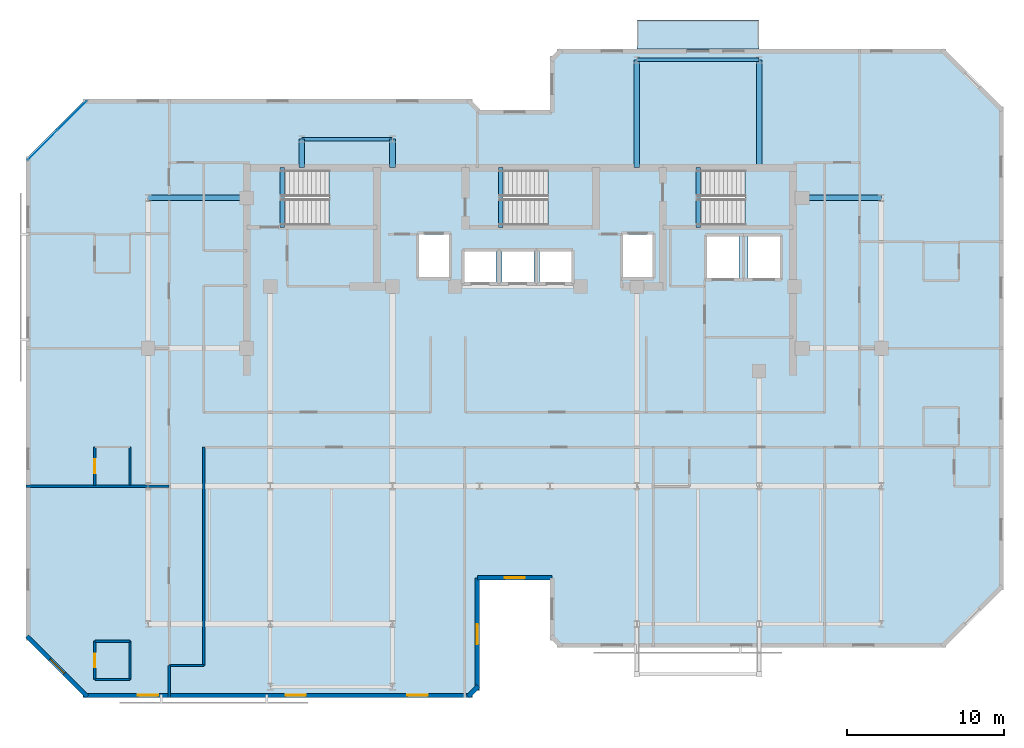
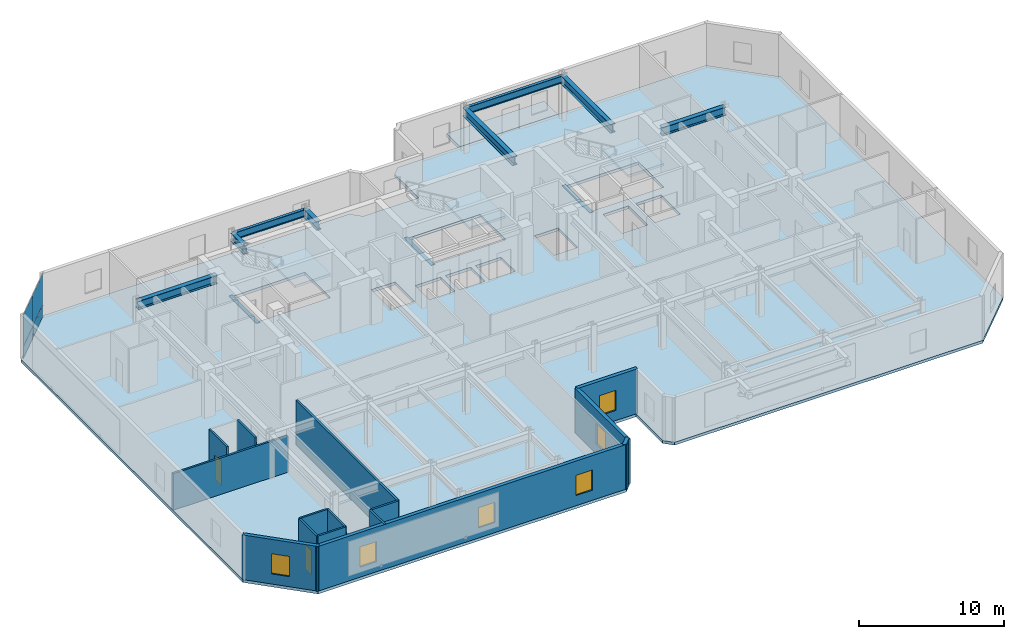
# One storey, part 3 of 10: 15 walls, 11 beams, 6 windows, 5 slabs, 4 plates, 2 doors, 8 openings, 4 elements without a shape of their own.
"""IFC4 building model written with IfcOpenShell, lengths in metres."""

from ifc_helpers import new_model, si_unit, direction, frame, frame_2d, origin, origin_2d, place, context, subcontext, project, spatial, polyline, rectangle, i_section, outline, extrude, material, layer, layer_set, material_profile, profile_set, type_object, element, fill, aggregate, save


model = new_model("IFC4")

# Units and contexts
model_context = context("Model", 3, precision=1e-05, world=origin(), true_north=direction((0.0, 1.0)))
body_context = subcontext(model_context, "Body", "Model", "MODEL_VIEW")
ifc_project = project(units=[si_unit("LENGTHUNIT", "METRE"), si_unit("AREAUNIT", "SQUARE_METRE"), si_unit("VOLUMEUNIT", "CUBIC_METRE"), si_unit("PLANEANGLEUNIT", "RADIAN"), si_unit("MASSUNIT", "GRAM", prefix="KILO")], contexts=[model_context])

# Site, building, storey
site_placement = place(None, origin())
site = spatial("IfcSite", under=ifc_project, at=site_placement, CompositionType="ELEMENT")
building_placement = place(site_placement, origin())
building = spatial("IfcBuilding", under=site, at=building_placement, Name="Kestravale Grand Hotel", CompositionType="ELEMENT")
storey_placement = place(building_placement, frame((0.0, 0.0, 261.39990234375)))
storey = spatial("IfcBuildingStorey", under=building, at=storey_placement, Name="L65", CompositionType="ELEMENT", Elevation=261.39990234375)

# Beams
ifc_material_1 = material(Name="Concrete f'c 45 MPa", Category="concrete")
ifc_material_profile_1 = material_profile(ifc_material_1, rectangle(XDim=0.300048828125, YDim=0.39990234375, at=origin_2d()))
ifc_profile_set_1 = profile_set([ifc_material_profile_1], Name="Concrete f'c 45 MPa")
beam_type_1 = type_object("IfcBeamType", Name="B-FLR-LNT400", PredefinedType="LINTEL", material=ifc_profile_set_1)
for number, where, z_axis, x_axis, name in (
    (1, (24.159912109375, 36.52001953125, -0.199951171875), (0.0, 1.0, 0.0), (-1.0, 0.0, 0.0), "L65 ST1 flight bottom header beam"),
    (2, (38.110107421875, 36.52001953125, -0.199951171875), (0.0, 1.0, 0.0), (-1.0, 0.0, 0.0), "L65 ST2 flight bottom header beam"),
    (3, (50.7099609375, 36.52001953125, -0.199951171875), (0.0, 1.0, 0.0), (-1.0, 0.0, 0.0), "L65 ST3 flight bottom header beam"),
):
    element("IfcBeam", number, at=place(storey_placement, frame(where, z_axis=z_axis, x_axis=x_axis)), inside=storey, type_object=beam_type_1, Name=name, PredefinedType="LINTEL", context=body_context, shape_type="SweptSolid", body=[
        extrude(rectangle(XDim=0.300048828125, YDim=0.39990234375, at=origin_2d()), origin(), (0.0, 0.0, 1.0), 3.800048828125),
    ])
ifc_material_2 = material(Name="Steel ASTM A992 Grade 50", Category="steel")
ifc_material_profile_2 = material_profile(ifc_material_2, i_section(OverallWidth=0.22900390625, OverallDepth=0.612060546875, WebThickness=0.011962890625, FlangeThickness=0.01953125, FilletRadius=0.019287109375, at=origin_2d()))
ifc_profile_set_2 = profile_set([ifc_material_profile_2], Name="Steel ASTM A992 Grade 50")
beam_type_2 = type_object("IfcBeamType", Name="B-FLR-W24B", PredefinedType="SPANDREL", material=ifc_profile_set_2)
beam_1_placement = place(storey_placement, frame((46.800048828125, 47.199951171875, 3.4541015625), z_axis=(1.0, 0.0, 0.0), x_axis=(0.0, 1.0, 0.0)))
element("IfcBeam", 4, at=beam_1_placement, inside=storey, type_object=beam_type_2, Name="L65 spandrel G:8-9", PredefinedType="SPANDREL", context=body_context, shape_type="SweptSolid", body=[
    extrude(i_section(OverallWidth=0.22900390625, OverallDepth=0.612060546875, WebThickness=0.011962890625, FlangeThickness=0.01953125, FilletRadius=0.019287109375, at=origin_2d()), origin(), (0.0, 0.0, 1.0), 7.800048828125),
])
beam_2_placement = place(storey_placement, frame((25.39990234375, 42.14990234375, 3.4541015625), z_axis=(1.0, 0.0, 0.0), x_axis=(0.0, 1.0, 0.0)))
element("IfcBeam", 5, at=beam_2_placement, inside=storey, type_object=beam_type_2, Name="L65 perimeter tie spandrel FN:4-5", PredefinedType="SPANDREL", context=body_context, shape_type="SweptSolid", body=[
    extrude(i_section(OverallWidth=0.22900390625, OverallDepth=0.612060546875, WebThickness=0.011962890625, FlangeThickness=0.01953125, FilletRadius=0.019287109375, at=origin_2d()), origin(), (0.0, 0.0, 1.0), 5.800048828125),
])
ifc_material_3 = material(Name="Steel ASTM A992 Grade 50", Category="steel")
ifc_material_profile_3 = material_profile(ifc_material_3, i_section(OverallWidth=0.35595703125, OverallDepth=0.696044921875, WebThickness=0.015380859375, FlangeThickness=0.02490234375, FilletRadius=0.021240234375, at=origin_2d()))
ifc_profile_set_3 = profile_set([ifc_material_profile_3], Name="Steel ASTM A992 Grade 50")
beam_type_3 = type_object("IfcBeamType", Name="B-GRD-W27", PredefinedType="BEAM", material=ifc_profile_set_3)
beam_3_placement = place(storey_placement, frame((15.60009765625, 38.39990234375, 3.412109375), z_axis=(1.0, 0.0, 0.0), x_axis=(0.0, 1.0, 0.0)))
element("IfcBeam", 6, at=beam_3_placement, inside=storey, type_object=beam_type_3, Name="L65 girder F:3-CW", PredefinedType="BEAM", context=body_context, shape_type="SweptSolid", body=[
    extrude(i_section(OverallWidth=0.35595703125, OverallDepth=0.696044921875, WebThickness=0.015380859375, FlangeThickness=0.02490234375, FilletRadius=0.021240234375, at=origin_2d()), origin(), (0.0, 0.0, 1.0), 6.2998046875),
])
beam_4_placement = place(storey_placement, frame((57.35009765625, 38.39990234375, 3.412109375), z_axis=(1.0, 0.0, 0.0), x_axis=(0.0, 1.0, 0.0)))
element("IfcBeam", 7, at=beam_4_placement, inside=storey, type_object=beam_type_3, Name="L65 girder F:CE-10", PredefinedType="BEAM", context=body_context, shape_type="SweptSolid", body=[
    extrude(i_section(OverallWidth=0.35595703125, OverallDepth=0.696044921875, WebThickness=0.015380859375, FlangeThickness=0.02490234375, FilletRadius=0.021240234375, at=origin_2d()), origin(), (0.0, 0.0, 1.0), 5.0498046875),
])
for number, where, z_axis, x_axis, name in (
    (8, (25.39990234375, 40.320068359375, 3.412109375), (0.0, 1.0, 0.0), (-1.0, 0.0, 0.0), "L65 north wing tie girder 4:CN-FN"),
    (9, (31.199951171875, 40.320068359375, 3.412109375), (0.0, 1.0, 0.0), (-1.0, 0.0, 0.0), "L65 north wing tie girder 5:CN-FN"),
):
    element("IfcBeam", number, at=place(storey_placement, frame(where, z_axis=z_axis, x_axis=x_axis)), inside=storey, type_object=beam_type_3, Name=name, PredefinedType="BEAM", context=body_context, shape_type="SweptSolid", body=[
        extrude(i_section(OverallWidth=0.35595703125, OverallDepth=0.696044921875, WebThickness=0.015380859375, FlangeThickness=0.02490234375, FilletRadius=0.021240234375, at=origin_2d()), origin(), (0.0, 0.0, 1.0), 1.829833984375),
    ])
for number, where, z_axis, x_axis, name in (
    (10, (46.800048828125, 40.320068359375, 3.412109375), (0.0, 1.0, 0.0), (-1.0, 0.0, 0.0), "L65 north wing tie girder 8:CN-G"),
    (11, (54.60009765625, 40.320068359375, 3.412109375), (0.0, 1.0, 0.0), (-1.0, 0.0, 0.0), "L65 north wing tie girder 9:CN-G"),
):
    element("IfcBeam", number, at=place(storey_placement, frame(where, z_axis=z_axis, x_axis=x_axis)), inside=storey, type_object=beam_type_3, Name=name, PredefinedType="BEAM", context=body_context, shape_type="SweptSolid", body=[
        extrude(i_section(OverallWidth=0.35595703125, OverallDepth=0.696044921875, WebThickness=0.015380859375, FlangeThickness=0.02490234375, FilletRadius=0.021240234375, at=origin_2d()), origin(), (0.0, 0.0, 1.0), 6.8798828125),
    ])

# Curtain wall, plates
ifc_material_4 = material(Name="Thermally broken champagne-bronze aluminium and low-E glazing", Category="aluminium")
ifc_layer_1 = layer(ifc_material_4, 0.179931640625)
ifc_layer_set_1 = layer_set([ifc_layer_1], Name="CW-Z4")
curtain_wall_type = type_object("IfcCurtainWallType", Name="CW-Z4", PredefinedType="NOTDEFINED", material=ifc_layer_set_1)
curtain_wall_placement = place(storey_placement, origin())
curtain_wall = element("IfcCurtainWall", 12, at=curtain_wall_placement, inside=storey, type_object=curtain_wall_type, Name="L65 unitised curtain wall 18", PredefinedType="NOTDEFINED")
ifc_material_5 = material(Name="Insulated clear low-E double glazing IGU", Category="glass")
ifc_layer_2 = layer(ifc_material_5, 0.028076171875)
ifc_layer_set_2 = layer_set([ifc_layer_2], Name="CW-PNL-28")
plate_type = type_object("IfcPlateType", Name="CW-PNL-28", PredefinedType="CURTAIN_PANEL", material=ifc_layer_set_2)
plate_1_placement = place(storey_placement, frame((10.74462890625, 43.646728515625, 0.06494140625), z_axis=(0.0, 0.0, 1.0), x_axis=(-0.707106781187, -0.707106781187, 0.0)))
plate_1 = element("IfcPlate", 13, at=plate_1_placement, type_object=plate_type, Name="CW-Z4 panel 1.1", PredefinedType="CURTAIN_PANEL", context=body_context, shape_type="SweptSolid", body=[
    extrude(rectangle(XDim=2.609619140625, YDim=0.028076171875, at=origin_2d()), origin(), (0.0, 0.0, 1.0), 0.952392578125),
])
plate_2_placement = place(storey_placement, frame((10.74462890625, 43.646728515625, 1.08251953125), z_axis=(0.0, 0.0, 1.0), x_axis=(-0.707106781187, -0.707106781187, 0.0)))
plate_2 = element("IfcPlate", 14, at=plate_2_placement, type_object=plate_type, Name="CW-Z4 panel 1.2", PredefinedType="CURTAIN_PANEL", context=body_context, shape_type="SweptSolid", body=[
    extrude(rectangle(XDim=2.609619140625, YDim=0.028076171875, at=origin_2d()), origin(), (0.0, 0.0, 1.0), 2.612548828125),
])
plate_3_placement = place(storey_placement, frame((8.853271484375, 41.75537109375, 0.06494140625), z_axis=(0.0, 0.0, 1.0), x_axis=(-0.707106781187, -0.707106781187, 0.0)))
plate_3 = element("IfcPlate", 15, at=plate_3_placement, type_object=plate_type, Name="CW-Z4 panel 2.1", PredefinedType="CURTAIN_PANEL", context=body_context, shape_type="SweptSolid", body=[
    extrude(rectangle(XDim=2.609619140625, YDim=0.028076171875, at=origin_2d()), origin(), (0.0, 0.0, 1.0), 0.952392578125),
])
plate_4_placement = place(storey_placement, frame((8.853271484375, 41.75537109375, 1.08251953125), z_axis=(0.0, 0.0, 1.0), x_axis=(-0.707106781187, -0.707106781187, 0.0)))
plate_4 = element("IfcPlate", 16, at=plate_4_placement, type_object=plate_type, Name="CW-Z4 panel 2.2", PredefinedType="CURTAIN_PANEL", context=body_context, shape_type="SweptSolid", body=[
    extrude(rectangle(XDim=2.609619140625, YDim=0.028076171875, at=origin_2d()), origin(), (0.0, 0.0, 1.0), 2.612548828125),
])
aggregate(curtain_wall, [plate_1, plate_2, plate_3, plate_4])

# Slab
ifc_material_6 = material(Name="Concrete f'c 45 MPa", Category="concrete")
ifc_layer_3 = layer(ifc_material_6, 0.27001953125)
ifc_layer_set_3 = layer_set([ifc_layer_3], Name="ES-TERR-270")
slab_type_1 = type_object("IfcSlabType", Name="ES-TERR-270", PredefinedType="FLOOR", material=ifc_layer_set_3)
slab_1_placement = place(storey_placement, frame((0.0, 0.0, -0.27001953125)))
element("IfcSlab", 17, at=slab_1_placement, inside=storey, type_object=slab_type_1, Name="L65 spiralling planted garden terrace", PredefinedType="FLOOR", context=body_context, shape_type="SweptSolid", body=[
    extrude(outline(polyline([(46.800048828125, 47.89990234375), (54.60009765625, 47.89990234375), (54.60009765625, 49.75), (46.800048828125, 49.75), (46.800048828125, 47.89990234375)])), origin(), (0.0, 0.0, 1.0), 0.27001953125),
])

# Stair, slab
ifc_material_7 = material(Name="Concrete f'c 45 MPa", Category="concrete")
stair_type = type_object("IfcStairType", Name="ST-CORE-400", PredefinedType="HALF_TURN_STAIR", material=ifc_material_7)
stair_1_placement = place(storey_placement, origin())
stair_1 = element("IfcStair", 18, at=stair_1_placement, inside=storey, type_object=stair_type, Name="L65 ST-1", PredefinedType="HALF_TURN_STAIR")
ifc_material_8 = material(Name="Concrete f'c 45 MPa", Category="concrete")
ifc_layer_4 = layer(ifc_material_8, 0.199951171875)
ifc_layer_set_4 = layer_set([ifc_layer_4], Name="SLB-ST-LND200")
slab_type_2 = type_object("IfcSlabType", Name="SLB-ST-LND200", PredefinedType="LANDING", material=ifc_layer_set_4)
slab_2_placement = place(storey_placement, frame((0.0, 0.0, 1.800048828125)))
slab_2 = element("IfcSlab", 19, at=slab_2_placement, type_object=slab_type_2, Name="ST-1 landing 1", PredefinedType="LANDING", context=body_context, shape_type="SweptSolid", body=[
    extrude(outline(polyline([(27.159912109375, 36.64990234375), (30.0, 36.64990234375), (30.0, 40.159912109375), (27.159912109375, 40.159912109375), (27.159912109375, 36.64990234375)])), origin(), (0.0, 0.0, 1.0), 0.199951171875),
])
aggregate(stair_1, [slab_2])

stair_2_placement = place(storey_placement, origin())
stair_2 = element("IfcStair", 20, at=stair_2_placement, inside=storey, type_object=stair_type, Name="L65 ST-2", PredefinedType="HALF_TURN_STAIR")
slab_3_placement = place(storey_placement, frame((0.0, 0.0, 1.800048828125)))
slab_3 = element("IfcSlab", 21, at=slab_3_placement, type_object=slab_type_2, Name="ST-2 landing 1", PredefinedType="LANDING", context=body_context, shape_type="SweptSolid", body=[
    extrude(outline(polyline([(41.110107421875, 36.64990234375), (43.949951171875, 36.64990234375), (43.949951171875, 40.159912109375), (41.110107421875, 40.159912109375), (41.110107421875, 36.64990234375)])), origin(), (0.0, 0.0, 1.0), 0.199951171875),
])
aggregate(stair_2, [slab_3])

stair_3_placement = place(storey_placement, origin())
stair_3 = element("IfcStair", 22, at=stair_3_placement, inside=storey, type_object=stair_type, Name="L65 ST-3", PredefinedType="HALF_TURN_STAIR")
slab_4_placement = place(storey_placement, frame((0.0, 0.0, 1.800048828125)))
slab_4 = element("IfcSlab", 23, at=slab_4_placement, type_object=slab_type_2, Name="ST-3 landing 1", PredefinedType="LANDING", context=body_context, shape_type="SweptSolid", body=[
    extrude(outline(polyline([(53.7099609375, 36.64990234375), (56.550048828125, 36.64990234375), (56.550048828125, 40.159912109375), (53.7099609375, 40.159912109375), (53.7099609375, 36.64990234375)])), origin(), (0.0, 0.0, 1.0), 0.199951171875),
])
aggregate(stair_3, [slab_4])

# Slab
ifc_material_9 = material(Name="Concrete f'c 45 MPa", Category="concrete")
ifc_layer_5 = layer(ifc_material_9, 0.239990234375)
ifc_layer_set_5 = layer_set([ifc_layer_5], Name="SS-FLR-240")
slab_type_3 = type_object("IfcSlabType", Name="SS-FLR-240", PredefinedType="FLOOR", material=ifc_layer_set_5)
slab_5_placement = place(storey_placement, frame((0.0, 0.0, -0.239990234375)))
element("IfcSlab", 24, at=slab_5_placement, inside=storey, type_object=slab_type_3, Name="L65 structural floor slab", PredefinedType="FLOOR", context=body_context, shape_type="SweptSolid", body=[
    extrude(outline(polyline([(11.60009765625, 6.5), (36.14990234375, 6.5), (36.75, 7.10009765625), (36.75, 14.0), (41.25, 14.0), (41.25, 10.300048828125), (41.85009765625, 9.699951171875), (66.39990234375, 9.699951171875), (70.199951171875, 13.5), (70.199951171875, 44.10009765625), (66.39990234375, 47.89990234375), (41.85009765625, 47.89990234375), (41.25, 47.300048828125), (41.25, 44.0), (36.75, 44.0), (36.75, 44.10009765625), (36.14990234375, 44.699951171875), (11.60009765625, 44.699951171875), (7.800048828125, 40.89990234375), (7.800048828125, 10.300048828125), (11.60009765625, 6.5)]), holes=[polyline([(24.080078125, 36.64990234375), (30.0, 36.64990234375), (30.0, 40.159912109375), (24.080078125, 40.159912109375), (24.080078125, 36.64990234375)]), polyline([(38.030029296875, 36.64990234375), (43.949951171875, 36.64990234375), (43.949951171875, 40.159912109375), (38.030029296875, 40.159912109375), (38.030029296875, 36.64990234375)]), polyline([(50.6298828125, 36.64990234375), (56.550048828125, 36.64990234375), (56.550048828125, 40.159912109375), (50.6298828125, 40.159912109375), (50.6298828125, 36.64990234375)]), polyline([(35.780029296875, 33.030029296875), (37.820068359375, 33.030029296875), (37.820068359375, 34.969970703125), (35.780029296875, 34.969970703125), (35.780029296875, 33.030029296875)]), polyline([(38.179931640625, 33.030029296875), (40.219970703125, 33.030029296875), (40.219970703125, 34.969970703125), (38.179931640625, 34.969970703125), (38.179931640625, 33.030029296875)]), polyline([(40.580078125, 33.030029296875), (42.6201171875, 33.030029296875), (42.6201171875, 34.969970703125), (40.580078125, 34.969970703125), (40.580078125, 33.030029296875)]), polyline([(32.905029296875, 33.35498046875), (34.794921875, 33.35498046875), (34.794921875, 36.044921875), (32.905029296875, 36.044921875), (32.905029296875, 33.35498046875)]), polyline([(45.905029296875, 33.35498046875), (47.794921875, 33.35498046875), (47.794921875, 36.044921875), (45.905029296875, 36.044921875), (45.905029296875, 33.35498046875)]), polyline([(51.280029296875, 33.280029296875), (53.320068359375, 33.280029296875), (53.320068359375, 35.919921875), (51.280029296875, 35.919921875), (51.280029296875, 33.280029296875)]), polyline([(53.8798828125, 33.280029296875), (55.919921875, 33.280029296875), (55.919921875, 35.919921875), (53.8798828125, 35.919921875), (53.8798828125, 33.280029296875)])]), origin(), (0.0, 0.0, 1.0), 0.239990234375),
])

# Wall, openings, windows
ifc_material_10 = material(Name="Precast concrete f'c 45 MPa", Category="concrete")
ifc_layer_6 = layer(ifc_material_10, 0.280029296875)
ifc_layer_set_6 = layer_set([ifc_layer_6], Name="EW-PREC-280")
wall_type_1 = type_object("IfcWallType", Name="EW-PREC-280", PredefinedType="SOLIDWALL", material=ifc_layer_set_6)
wall_1_placement = place(storey_placement, frame((11.4599609375, 6.639892578125, 0.0), z_axis=(0.0, 0.0, 1.0), x_axis=(1.0, 0.0, 0.0)))
wall_1 = element("IfcWall", 25, at=wall_1_placement, inside=storey, type_object=wall_type_1, Name="L65 fluted precast facade wall 1", PredefinedType="SOLIDWALL", context=body_context, shape_type="SweptSolid", body=[
    extrude(rectangle(XDim=24.830078125, YDim=0.280029296875, at=frame_2d((12.4150390625, 0.0))), origin(), (0.0, 0.0, 1.0), 3.760009765625),
])
opening_1_placement = place(wall_1_placement, frame((3.48828125, 0.0, 0.85009765625)))
opening_1 = element("IfcOpeningElement", 26, at=opening_1_placement, cuts=wall_1, Name="Opening W-GUEST-1300", PredefinedType="OPENING", context=body_context, shape_type="SweptSolid", body=[
    extrude(rectangle(XDim=1.300048828125, YDim=1.699951171875, at=frame_2d((0.64990234375, 0.85009765625))), frame((0.0, 0.14990234375, 0.0), z_axis=(0.0, -1.0, 0.0), x_axis=(1.0, 0.0, 0.0)), (0.0, 0.0, 1.0), 0.300048828125),
])
opening_2_placement = place(wall_1_placement, frame((12.9150390625, 0.0, 0.85009765625)))
opening_2 = element("IfcOpeningElement", 27, at=opening_2_placement, cuts=wall_1, Name="Opening W-GUEST-1300", PredefinedType="OPENING", context=body_context, shape_type="SweptSolid", body=[
    extrude(rectangle(XDim=1.300048828125, YDim=1.699951171875, at=frame_2d((0.64990234375, 0.85009765625))), frame((0.0, 0.14990234375, 0.0), z_axis=(0.0, -1.0, 0.0), x_axis=(1.0, 0.0, 0.0)), (0.0, 0.0, 1.0), 0.300048828125),
])
opening_3_placement = place(wall_1_placement, frame((20.691650390625, 0.0, 0.85009765625)))
opening_3 = element("IfcOpeningElement", 28, at=opening_3_placement, cuts=wall_1, Name="Opening W-GUEST-1300", PredefinedType="OPENING", context=body_context, shape_type="SweptSolid", body=[
    extrude(rectangle(XDim=1.300048828125, YDim=1.699951171875, at=frame_2d((0.64990234375, 0.85009765625))), frame((0.0, 0.14990234375, 0.0), z_axis=(0.0, -1.0, 0.0), x_axis=(1.0, 0.0, 0.0)), (0.0, 0.0, 1.0), 0.300048828125),
])
ifc_material_11 = material(Name="Insulated low-E double glazing in aluminium frame", Category="aluminium")
window_type = type_object("IfcWindowType", Name="W-GUEST-1300", PartitioningType="SINGLE_PANEL", PredefinedType="WINDOW", material=ifc_material_11)
window_1_placement = place(opening_1_placement, origin())
window_1 = element("IfcWindow", 29, at=window_1_placement, inside=storey, type_object=window_type, Name="L65 exterior window 1.1", OverallHeight=1.699951171875, OverallWidth=1.300048828125, PartitioningType="SINGLE_PANEL", PredefinedType="WINDOW", context=body_context, shape_type="SweptSolid", body=[
    extrude(rectangle(XDim=1.300048828125, YDim=1.699951171875, at=frame_2d((0.64990234375, 0.85009765625))), frame((0.0, 0.030029296875, 0.0), z_axis=(0.0, -1.0, 0.0), x_axis=(1.0, 0.0, 0.0)), (0.0, 0.0, 1.0), 0.06005859375),
])
fill(opening_1, window_1)
window_2_placement = place(opening_2_placement, origin())
window_2 = element("IfcWindow", 30, at=window_2_placement, inside=storey, type_object=window_type, Name="L65 exterior window 1.2", OverallHeight=1.699951171875, OverallWidth=1.300048828125, PartitioningType="SINGLE_PANEL", PredefinedType="WINDOW", context=body_context, shape_type="SweptSolid", body=[
    extrude(rectangle(XDim=1.300048828125, YDim=1.699951171875, at=frame_2d((0.64990234375, 0.85009765625))), frame((0.0, 0.030029296875, 0.0), z_axis=(0.0, -1.0, 0.0), x_axis=(1.0, 0.0, 0.0)), (0.0, 0.0, 1.0), 0.06005859375),
])
fill(opening_2, window_2)
window_3_placement = place(opening_3_placement, origin())
window_3 = element("IfcWindow", 31, at=window_3_placement, inside=storey, type_object=window_type, Name="L65 exterior window 1.3", OverallHeight=1.699951171875, OverallWidth=1.300048828125, PartitioningType="SINGLE_PANEL", PredefinedType="WINDOW", context=body_context, shape_type="SweptSolid", body=[
    extrude(rectangle(XDim=1.300048828125, YDim=1.699951171875, at=frame_2d((0.64990234375, 0.85009765625))), frame((0.0, 0.030029296875, 0.0), z_axis=(0.0, -1.0, 0.0), x_axis=(1.0, 0.0, 0.0)), (0.0, 0.0, 1.0), 0.06005859375),
])
fill(opening_3, window_3)

# Wall
wall_2_placement = place(storey_placement, frame((36.022705078125, 6.57080078125, 0.0), z_axis=(0.0, 0.0, 1.0), x_axis=(0.707106781187, 0.707106781187, 0.0)))
element("IfcWall", 32, at=wall_2_placement, inside=storey, type_object=wall_type_1, Name="L65 fluted precast facade wall 2", PredefinedType="SOLIDWALL", context=body_context, shape_type="SweptSolid", body=[
    extrude(rectangle(XDim=0.928466796875, YDim=0.280029296875, at=frame_2d((0.46435546875, 0.0))), origin(), (0.0, 0.0, 1.0), 3.760009765625),
])

# Wall, opening, window
wall_3_placement = place(storey_placement, frame((36.610107421875, 6.9599609375, 0.0), z_axis=(0.0, 0.0, 1.0), x_axis=(0.0, 1.0, 0.0)))
wall_3 = element("IfcWall", 33, at=wall_3_placement, inside=storey, type_object=wall_type_1, Name="L65 fluted precast facade wall 3", PredefinedType="SOLIDWALL", context=body_context, shape_type="SweptSolid", body=[
    extrude(rectangle(XDim=7.179931640625, YDim=0.280029296875, at=frame_2d((3.58984375, 0.0))), origin(), (0.0, 0.0, 1.0), 3.760009765625),
])
opening_4_placement = place(wall_3_placement, frame((2.93994140625, 0.0, 0.85009765625)))
opening_4 = element("IfcOpeningElement", 34, at=opening_4_placement, cuts=wall_3, Name="Opening W-GUEST-1300", PredefinedType="OPENING", context=body_context, shape_type="SweptSolid", body=[
    extrude(rectangle(XDim=1.300048828125, YDim=1.699951171875, at=frame_2d((0.64990234375, 0.85009765625))), frame((0.0, 0.14990234375, 0.0), z_axis=(0.0, -1.0, 0.0), x_axis=(1.0, 0.0, 0.0)), (0.0, 0.0, 1.0), 0.300048828125),
])
window_4_placement = place(opening_4_placement, origin())
window_4 = element("IfcWindow", 35, at=window_4_placement, inside=storey, type_object=window_type, Name="L65 exterior window 3.1", OverallHeight=1.699951171875, OverallWidth=1.300048828125, PartitioningType="SINGLE_PANEL", PredefinedType="WINDOW", context=body_context, shape_type="SweptSolid", body=[
    extrude(rectangle(XDim=1.300048828125, YDim=1.699951171875, at=frame_2d((0.64990234375, 0.85009765625))), frame((0.0, 0.030029296875, 0.0), z_axis=(0.0, -1.0, 0.0), x_axis=(1.0, 0.0, 0.0)), (0.0, 0.0, 1.0), 0.06005859375),
])
fill(opening_4, window_4)

wall_4_placement = place(storey_placement, frame((36.610107421875, 14.139892578125, 0.0), z_axis=(0.0, 0.0, 1.0), x_axis=(1.0, 0.0, 0.0)))
wall_4 = element("IfcWall", 36, at=wall_4_placement, inside=storey, type_object=wall_type_1, Name="L65 fluted precast facade wall 4", PredefinedType="SOLIDWALL", context=body_context, shape_type="SweptSolid", body=[
    extrude(rectangle(XDim=4.77978515625, YDim=0.280029296875, at=frame_2d((2.389892578125, 0.0))), origin(), (0.0, 0.0, 1.0), 3.760009765625),
])
opening_5_placement = place(wall_4_placement, frame((1.739990234375, 0.0, 0.85009765625)))
opening_5 = element("IfcOpeningElement", 37, at=opening_5_placement, cuts=wall_4, Name="Opening W-GUEST-1300", PredefinedType="OPENING", context=body_context, shape_type="SweptSolid", body=[
    extrude(rectangle(XDim=1.300048828125, YDim=1.699951171875, at=frame_2d((0.64990234375, 0.85009765625))), frame((0.0, 0.14990234375, 0.0), z_axis=(0.0, -1.0, 0.0), x_axis=(1.0, 0.0, 0.0)), (0.0, 0.0, 1.0), 0.300048828125),
])
window_5_placement = place(opening_5_placement, origin())
window_5 = element("IfcWindow", 38, at=window_5_placement, inside=storey, type_object=window_type, Name="L65 exterior window 4.1", OverallHeight=1.699951171875, OverallWidth=1.300048828125, PartitioningType="SINGLE_PANEL", PredefinedType="WINDOW", context=body_context, shape_type="SweptSolid", body=[
    extrude(rectangle(XDim=1.300048828125, YDim=1.699951171875, at=frame_2d((0.64990234375, 0.85009765625))), frame((0.0, 0.030029296875, 0.0), z_axis=(0.0, -1.0, 0.0), x_axis=(1.0, 0.0, 0.0)), (0.0, 0.0, 1.0), 0.06005859375),
])
fill(opening_5, window_5)

wall_5_placement = place(storey_placement, frame((7.87060546875, 10.42724609375, 0.0), z_axis=(0.0, 0.0, 1.0), x_axis=(0.707129162587, -0.707084399077, 0.0)))
wall_5 = element("IfcWall", 39, at=wall_5_placement, inside=storey, type_object=wall_type_1, Name="L65 fluted precast facade wall 20", PredefinedType="SOLIDWALL", context=body_context, shape_type="SweptSolid", body=[
    extrude(rectangle(XDim=5.4541015625, YDim=0.280029296875, at=frame_2d((2.72705078125, 0.0))), origin(), (0.0, 0.0, 1.0), 3.760009765625),
])
opening_6_placement = place(wall_5_placement, frame((2.076904296875, 0.0, 0.85009765625)))
opening_6 = element("IfcOpeningElement", 40, at=opening_6_placement, cuts=wall_5, Name="Opening W-GUEST-1300", PredefinedType="OPENING", context=body_context, shape_type="SweptSolid", body=[
    extrude(rectangle(XDim=1.300048828125, YDim=1.699951171875, at=frame_2d((0.64990234375, 0.85009765625))), frame((0.0, 0.14990234375, 0.0), z_axis=(0.0, -1.0, 0.0), x_axis=(1.0, 0.0, 0.0)), (0.0, 0.0, 1.0), 0.300048828125),
])
window_6_placement = place(opening_6_placement, origin())
window_6 = element("IfcWindow", 41, at=window_6_placement, inside=storey, type_object=window_type, Name="L65 exterior window 20.1", OverallHeight=1.699951171875, OverallWidth=1.300048828125, PartitioningType="SINGLE_PANEL", PredefinedType="WINDOW", context=body_context, shape_type="SweptSolid", body=[
    extrude(rectangle(XDim=1.300048828125, YDim=1.699951171875, at=frame_2d((0.64990234375, 0.85009765625))), frame((0.0, 0.030029296875, 0.0), z_axis=(0.0, -1.0, 0.0), x_axis=(1.0, 0.0, 0.0)), (0.0, 0.0, 1.0), 0.06005859375),
])
fill(opening_6, window_6)

# Wall
ifc_material_12 = material(Name="Acoustic fire-rated gypsum board partition", Category="other")
ifc_layer_7 = layer(ifc_material_12, 0.159912109375)
ifc_layer_set_7 = layer_set([ifc_layer_7], Name="IW-CORR-160")
wall_type_2 = type_object("IfcWallType", Name="IW-CORR-160", PredefinedType="PARTITIONING", material=ifc_layer_set_7)
wall_6_placement = place(storey_placement, frame((19.159912109375, 8.550048828125, 0.0), z_axis=(0.0, 0.0, 1.0), x_axis=(0.0, 1.0, 0.0)))
element("IfcWall", 42, at=wall_6_placement, inside=storey, type_object=wall_type_2, Name="W-L65-SW-E", PredefinedType="PARTITIONING", context=body_context, shape_type="SweptSolid", body=[
    extrude(rectangle(XDim=13.93994140625, YDim=0.159912109375, at=frame_2d((6.969970703125, 0.0))), origin(), (0.0, 0.0, 1.0), 3.760009765625),
])

# Wall, opening, door
ifc_material_13 = material(Name="Moisture-resistant tile-backer plumbing chase wall", Category="other")
ifc_layer_8 = layer(ifc_material_13, 0.139892578125)
ifc_layer_set_8 = layer_set([ifc_layer_8], Name="IW-PLB-140")
wall_type_3 = type_object("IfcWallType", Name="IW-PLB-140", PredefinedType="PLUMBINGWALL", material=ifc_layer_set_8)
wall_7_placement = place(storey_placement, frame((12.199951171875, 7.64990234375, 0.0), z_axis=(0.0, 0.0, 1.0), x_axis=(0.0, 1.0, 0.0)))
wall_7 = element("IfcWall", 43, at=wall_7_placement, inside=storey, type_object=wall_type_3, Name="W-L65-U02-BW", PredefinedType="PLUMBINGWALL", context=body_context, shape_type="SweptSolid", body=[
    extrude(rectangle(XDim=2.4501953125, YDim=0.139892578125, at=frame_2d((1.22509765625, 0.0))), origin(), (0.0, 0.0, 1.0), 3.760009765625),
])
opening_7_placement = place(wall_7_placement, frame((0.784912109375, 0.0, 0.0)))
opening_7 = element("IfcOpeningElement", 44, at=opening_7_placement, cuts=wall_7, Name="Opening D-BATH-880", PredefinedType="OPENING", context=body_context, shape_type="SweptSolid", body=[
    extrude(rectangle(XDim=0.8798828125, YDim=2.050048828125, at=frame_2d((0.43994140625, 1.02490234375))), frame((0.0, 0.079833984375, 0.0), z_axis=(0.0, -1.0, 0.0), x_axis=(1.0, 0.0, 0.0)), (0.0, 0.0, 1.0), 0.159912109375),
])
ifc_material_14 = material(Name="Moisture-sealed walnut en-suite bathroom door", Category="wood")
door_type = type_object("IfcDoorType", Name="D-BATH-880", OperationType="NOTDEFINED", PredefinedType="DOOR", material=ifc_material_14)
door_1_placement = place(opening_7_placement, origin())
door_1 = element("IfcDoor", 45, at=door_1_placement, inside=storey, type_object=door_type, Name="D-L65-U02-BATH", OperationType="SINGLE_SWING_LEFT", OverallHeight=2.050048828125, OverallWidth=0.8798828125, PredefinedType="DOOR", context=body_context, shape_type="SweptSolid", body=[
    extrude(rectangle(XDim=0.8798828125, YDim=2.050048828125, at=frame_2d((0.43994140625, 1.02490234375))), frame((0.0, 0.02490234375, 0.0), z_axis=(0.0, -1.0, 0.0), x_axis=(1.0, 0.0, 0.0)), (0.0, 0.0, 1.0), 0.050048828125),
])
fill(opening_7, door_1)

# Walls
wall_8_placement = place(storey_placement, frame((14.449951171875, 7.64990234375, 0.0), z_axis=(0.0, 0.0, 1.0), x_axis=(0.0, 1.0, 0.0)))
element("IfcWall", 46, at=wall_8_placement, inside=storey, type_object=wall_type_3, Name="W-L65-U02-BE", PredefinedType="PLUMBINGWALL", context=body_context, shape_type="SweptSolid", body=[
    extrude(rectangle(XDim=2.4501953125, YDim=0.139892578125, at=frame_2d((1.22509765625, 0.0))), origin(), (0.0, 0.0, 1.0), 3.760009765625),
])
for number, where, z_axis, x_axis, name in (
    (47, (12.199951171875, 7.64990234375, 0.0), (0.0, 0.0, 1.0), (1.0, 0.0, 0.0), "W-L65-U02-BS"),
    (48, (12.199951171875, 10.10009765625, 0.0), (0.0, 0.0, 1.0), (1.0, 0.0, 0.0), "W-L65-U02-BN"),
):
    element("IfcWall", number, at=place(storey_placement, frame(where, z_axis=z_axis, x_axis=x_axis)), inside=storey, type_object=wall_type_3, Name=name, PredefinedType="PLUMBINGWALL", context=body_context, shape_type="SweptSolid", body=[
        extrude(rectangle(XDim=2.25, YDim=0.139892578125, at=frame_2d((1.125, 0.0))), origin(), (0.0, 0.0, 1.0), 3.760009765625),
    ])

# Wall, opening, door
wall_9_placement = place(storey_placement, frame((12.199951171875, 20.0400390625, 0.0), z_axis=(0.0, 0.0, 1.0), x_axis=(0.0, 1.0, 0.0)))
wall_9 = element("IfcWall", 49, at=wall_9_placement, inside=storey, type_object=wall_type_3, Name="W-L65-U03-BW", PredefinedType="PLUMBINGWALL", context=body_context, shape_type="SweptSolid", body=[
    extrude(rectangle(XDim=2.449951171875, YDim=0.139892578125, at=frame_2d((1.22509765625, 0.0))), origin(), (0.0, 0.0, 1.0), 3.760009765625),
])
opening_8_placement = place(wall_9_placement, frame((0.784912109375, 0.0, 0.0)))
opening_8 = element("IfcOpeningElement", 50, at=opening_8_placement, cuts=wall_9, Name="Opening D-BATH-880", PredefinedType="OPENING", context=body_context, shape_type="SweptSolid", body=[
    extrude(rectangle(XDim=0.8798828125, YDim=2.050048828125, at=frame_2d((0.43994140625, 1.02490234375))), frame((0.0, 0.079833984375, 0.0), z_axis=(0.0, -1.0, 0.0), x_axis=(1.0, 0.0, 0.0)), (0.0, 0.0, 1.0), 0.159912109375),
])
door_2_placement = place(opening_8_placement, origin())
door_2 = element("IfcDoor", 51, at=door_2_placement, inside=storey, type_object=door_type, Name="D-L65-U03-BATH", OperationType="SINGLE_SWING_LEFT", OverallHeight=2.050048828125, OverallWidth=0.8798828125, PredefinedType="DOOR", context=body_context, shape_type="SweptSolid", body=[
    extrude(rectangle(XDim=0.8798828125, YDim=2.050048828125, at=frame_2d((0.43994140625, 1.02490234375))), frame((0.0, 0.02490234375, 0.0), z_axis=(0.0, -1.0, 0.0), x_axis=(1.0, 0.0, 0.0)), (0.0, 0.0, 1.0), 0.050048828125),
])
fill(opening_8, door_2)

# Walls
wall_10_placement = place(storey_placement, frame((14.449951171875, 20.0400390625, 0.0), z_axis=(0.0, 0.0, 1.0), x_axis=(0.0, 1.0, 0.0)))
element("IfcWall", 52, at=wall_10_placement, inside=storey, type_object=wall_type_3, Name="W-L65-U03-BE", PredefinedType="PLUMBINGWALL", context=body_context, shape_type="SweptSolid", body=[
    extrude(rectangle(XDim=2.449951171875, YDim=0.139892578125, at=frame_2d((1.22509765625, 0.0))), origin(), (0.0, 0.0, 1.0), 3.760009765625),
])
ifc_material_15 = material(Name="Double-stud STC 52 acoustic demising partition", Category="other")
ifc_layer_9 = layer(ifc_material_15, 0.14990234375)
ifc_layer_set_9 = layer_set([ifc_layer_9], Name="IW-UNIT-150")
wall_type_4 = type_object("IfcWallType", Name="IW-UNIT-150", PredefinedType="PARTITIONING", material=ifc_layer_set_9)
wall_11_placement = place(storey_placement, frame((16.93994140625, 8.550048828125, 0.0), z_axis=(0.0, 0.0, 1.0), x_axis=(1.0, 0.0, 0.0)))
element("IfcWall", 53, at=wall_11_placement, inside=storey, type_object=wall_type_4, Name="W-L65-SW-S", PredefinedType="PARTITIONING", context=body_context, shape_type="SweptSolid", body=[
    extrude(rectangle(XDim=2.219970703125, YDim=0.14990234375, at=frame_2d((1.10986328125, 0.0))), origin(), (0.0, 0.0, 1.0), 3.760009765625),
])
wall_12_placement = place(storey_placement, frame((16.93994140625, 6.52001953125, 0.0), z_axis=(0.0, 0.0, 1.0), x_axis=(0.0, 1.0, 0.0)))
element("IfcWall", 54, at=wall_12_placement, inside=storey, type_object=wall_type_4, Name="W-L65-SW-EXT", PredefinedType="PARTITIONING", context=body_context, shape_type="SweptSolid", body=[
    extrude(rectangle(XDim=2.030029296875, YDim=0.14990234375, at=frame_2d((1.01513671875, 0.0))), origin(), (0.0, 0.0, 1.0), 3.760009765625),
])
wall_13_placement = place(storey_placement, frame((7.820068359375, 20.0, 0.0), z_axis=(0.0, 0.0, 1.0), x_axis=(1.0, 0.0, 0.0)))
element("IfcWall", 55, at=wall_13_placement, inside=storey, type_object=wall_type_4, Name="W-L65-WW-1", PredefinedType="PARTITIONING", context=body_context, shape_type="SweptSolid", body=[
    extrude(rectangle(XDim=9.119873046875, YDim=0.14990234375, at=frame_2d((4.56005859375, 0.0))), origin(), (0.0, 0.0, 1.0), 3.064208984375),
])

save(model, "model.ifc")
